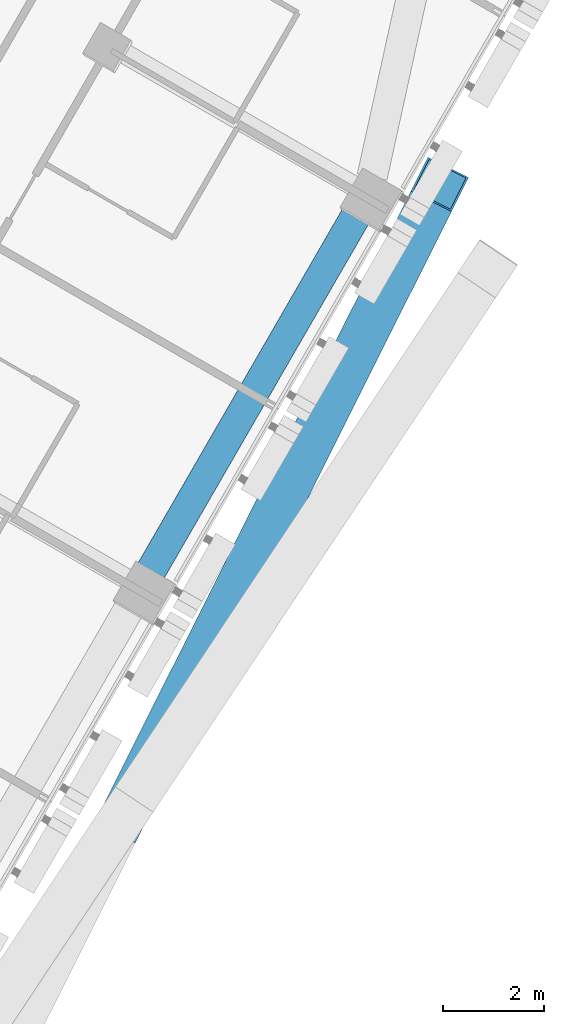
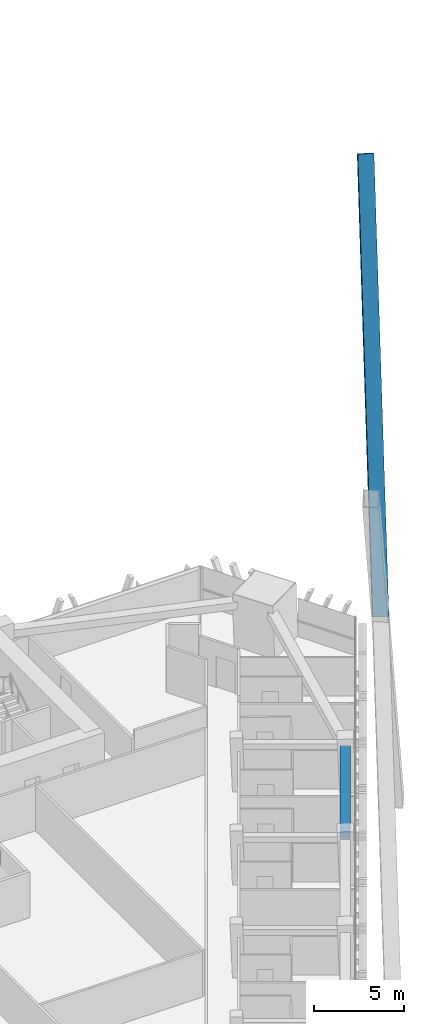
# One storey, part 10 of 24: 1 beam, 1 member.
"""IFC4 building model written with IfcOpenShell, lengths in metres."""

from ifc_helpers import new_model, si_unit, direction, frame, origin, origin_2d, place, context, subcontext, project, spatial, rectangle, hollow_rectangle, extrude, material, material_profile, profile_set, type_object, element, save


model = new_model("IFC4")

# Units and contexts
model_context = context("Model", 3, precision=1e-05, world=origin(), true_north=direction((0.0, 1.0)))
body_context = subcontext(model_context, "Body", "Model", "MODEL_VIEW")
ifc_project = project(units=[si_unit("LENGTHUNIT", "METRE"), si_unit("AREAUNIT", "SQUARE_METRE"), si_unit("VOLUMEUNIT", "CUBIC_METRE"), si_unit("PLANEANGLEUNIT", "RADIAN"), si_unit("MASSUNIT", "GRAM", prefix="KILO")], contexts=[model_context])

# Site, building, storey
site_placement = place(None, origin())
site = spatial("IfcSite", under=ifc_project, at=site_placement, CompositionType="ELEMENT")
building_placement = place(site_placement, origin())
building = spatial("IfcBuilding", under=site, at=building_placement, Name="Altiplano Prism Tower", CompositionType="ELEMENT")
storey_placement = place(building_placement, frame((0.0, 0.0, 27.0)))
storey = spatial("IfcBuildingStorey", under=building, at=storey_placement, Name="L05", CompositionType="ELEMENT", Elevation=27.0)

# Beam
ifc_material_1 = material(Name="Concrete C60/75", Category="concrete")
ifc_material_profile_1 = material_profile(ifc_material_1, rectangle(XDim=0.60009765625, YDim=0.5, at=origin_2d()), Name="Edge beam 600x500")
ifc_profile_set_1 = profile_set([ifc_material_profile_1], Name="Concrete C60/75")
beam_type = type_object("IfcBeamType", Name="Edge beam 600x500", PredefinedType="SPANDREL", material=ifc_profile_set_1)
beam_placement = place(storey_placement, frame((105.1318359375, 78.04638671875, 2.85009765625), z_axis=(0.499992746786, 0.866029591389, 0.0), x_axis=(-0.866029591389, 0.499992746786, 0.0)))
element("IfcBeam", 1, at=beam_placement, inside=storey, type_object=beam_type, Name="Edge beam P23-P24 L06", PredefinedType="SPANDREL", context=body_context, shape_type="SweptSolid", body=[
    extrude(rectangle(XDim=0.60009765625, YDim=0.5, at=origin_2d()), origin(), (0.0, 0.0, 1.0), 8.33984375),
])

# Member
ifc_material_2 = material(Name="Steel S355", Category="steel")
ifc_material_profile_2 = material_profile(ifc_material_2, hollow_rectangle(XDim=0.89990234375, YDim=0.89990234375, WallThickness=0.0400390625, at=origin_2d()), Name="Mega brace Box 900x900x40")
ifc_profile_set_2 = profile_set([ifc_material_profile_2], Name="Steel S355")
member_type = type_object("IfcMemberType", Name="Mega brace Box 900x900x40", PredefinedType="BRACE", material=ifc_profile_set_2)
member_placement = place(storey_placement, frame((104.61181640625, 73.231201171875, 20.75), z_axis=(0.243563317538, 0.486453284263, 0.839070981848), x_axis=(-0.894179508521, 0.447708617898, 0.0)))
element("IfcMember", 2, at=member_placement, inside=storey, type_object=member_type, Name="Mega brace 1.2.2", PredefinedType="BRACE", context=body_context, shape_type="SweptSolid", body=[
    extrude(hollow_rectangle(XDim=0.89990234375, YDim=0.89990234375, WallThickness=0.0400390625, at=origin_2d()), origin(), (0.0, 0.0, 1.0), 25.742919921875),
])

save(model, "model.ifc")
